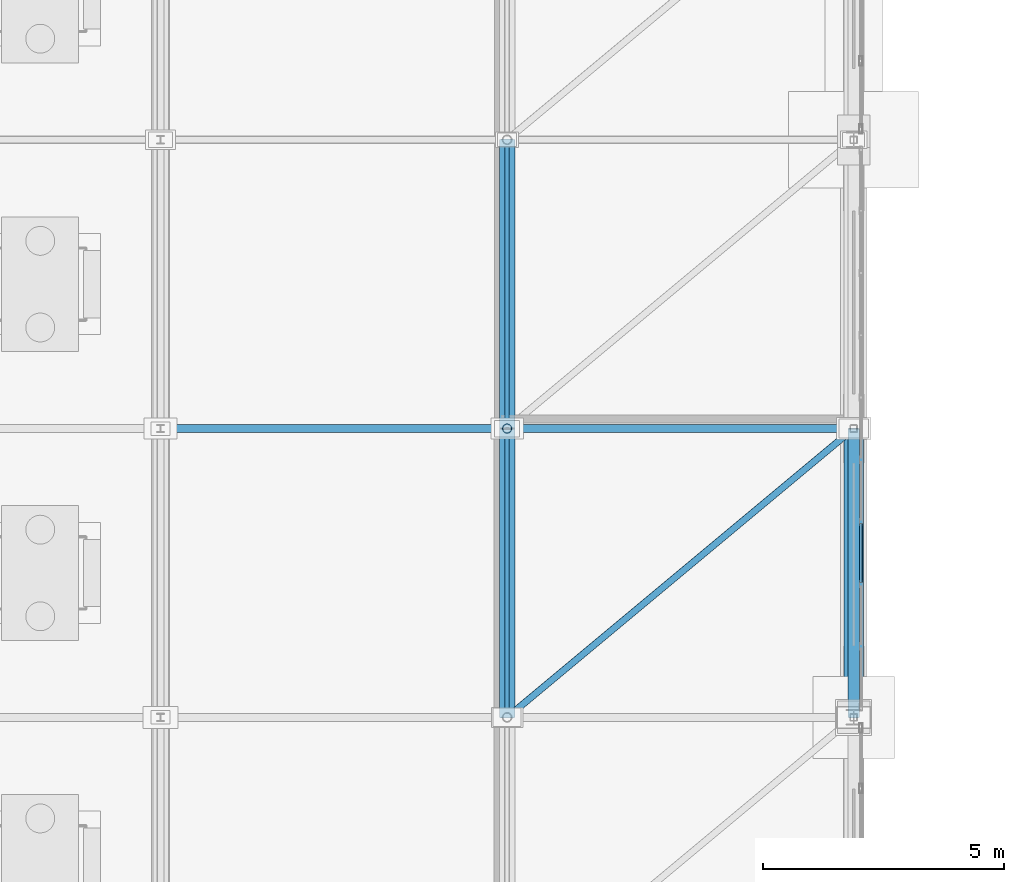
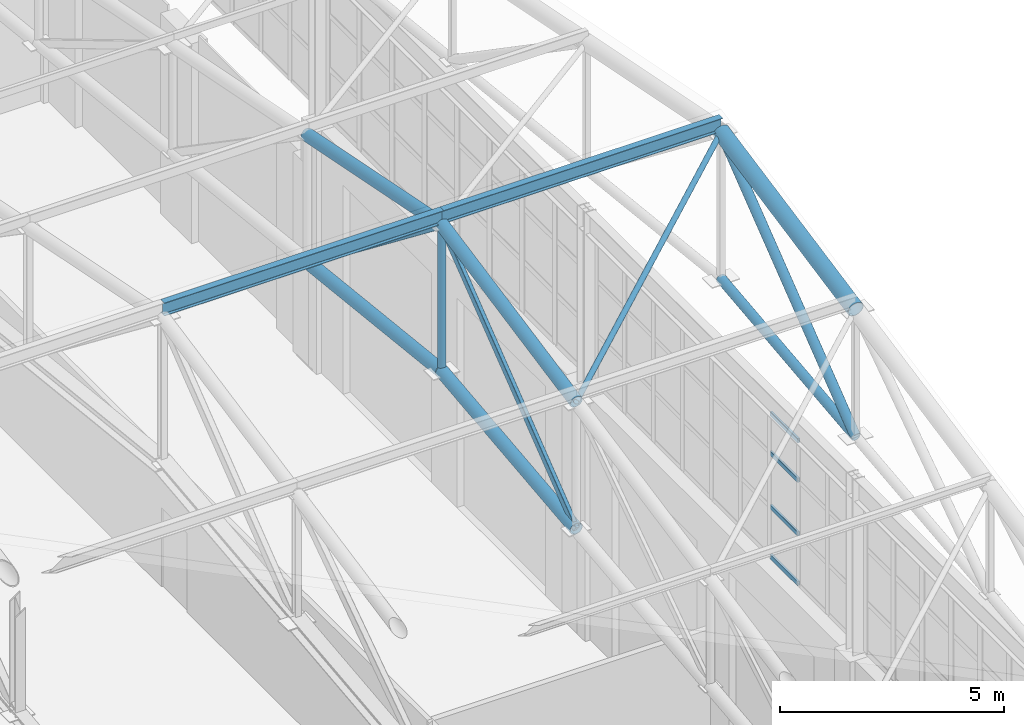
# One storey, part 190 of 293: 17 members, 1 element without a shape of its own.
"""IFC4 building model written with IfcOpenShell, lengths in metres."""

from ifc_helpers import new_model, si_unit, direction, frame, origin, origin_2d, place, context, subcontext, project, spatial, hollow_rectangle, hollow_circle, i_section, extrude, material, layer, layer_set, material_profile, profile_set, type_object, element, aggregate, save


model = new_model("IFC4")

# Units and contexts
model_context = context("Model", 3, precision=1e-05, world=origin(), true_north=direction((0.0, 1.0)))
body_context = subcontext(model_context, "Body", "Model", "MODEL_VIEW")
ifc_project = project(units=[si_unit("LENGTHUNIT", "METRE"), si_unit("AREAUNIT", "SQUARE_METRE"), si_unit("VOLUMEUNIT", "CUBIC_METRE"), si_unit("PLANEANGLEUNIT", "RADIAN"), si_unit("MASSUNIT", "GRAM", prefix="KILO")], contexts=[model_context])

# Site, building, storey
site_placement = place(None, origin())
site = spatial("IfcSite", under=ifc_project, at=site_placement, CompositionType="ELEMENT")
building_placement = place(site_placement, origin())
building = spatial("IfcBuilding", under=site, at=building_placement, Name="Kemerveld Promenade Tramway Depot", CompositionType="ELEMENT")
storey_placement = place(building_placement, origin())
storey = spatial("IfcBuildingStorey", under=building, at=storey_placement, Name="L00", CompositionType="ELEMENT", Elevation=0.0)

# Curtain wall, members
ifc_material_1 = material(Name="Bronze anodised aluminium and solar glass", Category="aluminium")
ifc_layer = layer(ifc_material_1, 0.159912109375)
ifc_layer_set = layer_set([ifc_layer], Name="CW-SYS-13")
curtain_wall_type = type_object("IfcCurtainWallType", Name="CW-SYS-13", PredefinedType="USERDEFINED", material=ifc_layer_set)
curtain_wall_placement = place(storey_placement, origin())
curtain_wall = element("IfcCurtainWall", 1, at=curtain_wall_placement, inside=storey, type_object=curtain_wall_type, Name="CW-V1-E-03", ObjectType="GLAZED_CURTAIN_WALL", PredefinedType="USERDEFINED")
ifc_material_2 = material(Name="Bronze anodised aluminium", Category="aluminium")
ifc_material_profile_1 = material_profile(ifc_material_2, hollow_rectangle(XDim=0.06005859375, YDim=0.1201171875, WallThickness=0.00390625, InnerFilletRadius=0.001953125, OuterFilletRadius=0.00390625, at=origin_2d()), Name="CW-TRN-120x60")
ifc_profile_set_1 = profile_set([ifc_material_profile_1], Name="Bronze anodised aluminium")
member_type_1 = type_object("IfcMemberType", Name="CW-TRN-A", PredefinedType="USERDEFINED", material=ifc_profile_set_1)
member_1_placement = place(storey_placement, frame((187.35009765625, 112.028564453125, 6.679931640625), z_axis=(0.0, -1.0, 0.0), x_axis=(1.0, 0.0, 0.0)))
member_1 = element("IfcMember", 2, at=member_1_placement, type_object=member_type_1, Name="CW13 transom 7.1", ObjectType="TRANSOM", PredefinedType="USERDEFINED", context=body_context, shape_type="SweptSolid", body=[
    extrude(hollow_rectangle(XDim=0.06005859375, YDim=0.1201171875, WallThickness=0.00390625, InnerFilletRadius=0.001953125, OuterFilletRadius=0.00390625, at=origin_2d()), origin(), (0.0, 0.0, 1.0), 1.2275390625),
])
member_2_placement = place(storey_placement, frame((187.35009765625, 112.028564453125, 8.032958984375), z_axis=(0.0, -1.0, 0.0), x_axis=(1.0, 0.0, 0.0)))
member_2 = element("IfcMember", 3, at=member_2_placement, type_object=member_type_1, Name="CW13 transom 7.2", ObjectType="TRANSOM", PredefinedType="USERDEFINED", context=body_context, shape_type="SweptSolid", body=[
    extrude(hollow_rectangle(XDim=0.06005859375, YDim=0.1201171875, WallThickness=0.00390625, InnerFilletRadius=0.001953125, OuterFilletRadius=0.00390625, at=origin_2d()), origin(), (0.0, 0.0, 1.0), 1.2275390625),
])
member_3_placement = place(storey_placement, frame((187.35009765625, 112.028564453125, 9.493896484375), z_axis=(0.0, -1.0, 0.0), x_axis=(1.0, 0.0, 0.0)))
member_3 = element("IfcMember", 4, at=member_3_placement, type_object=member_type_1, Name="CW13 transom 7.3", ObjectType="TRANSOM", PredefinedType="USERDEFINED", context=body_context, shape_type="SweptSolid", body=[
    extrude(hollow_rectangle(XDim=0.06005859375, YDim=0.1201171875, WallThickness=0.00390625, InnerFilletRadius=0.001953125, OuterFilletRadius=0.00390625, at=origin_2d()), origin(), (0.0, 0.0, 1.0), 1.2275390625),
])
member_4_placement = place(storey_placement, frame((187.35009765625, 112.028564453125, 10.570068359375), z_axis=(0.0, -1.0, 0.0), x_axis=(1.0, 0.0, 0.0)))
member_4 = element("IfcMember", 5, at=member_4_placement, type_object=member_type_1, Name="CW13 transom 7.4", ObjectType="TRANSOM", PredefinedType="USERDEFINED", context=body_context, shape_type="SweptSolid", body=[
    extrude(hollow_rectangle(XDim=0.06005859375, YDim=0.1201171875, WallThickness=0.00390625, InnerFilletRadius=0.001953125, OuterFilletRadius=0.00390625, at=origin_2d()), origin(), (0.0, 0.0, 1.0), 1.2275390625),
])
aggregate(curtain_wall, [member_1, member_2, member_3, member_4])

# Members
ifc_material_3 = material(Name="Steel S355", Category="steel")
ifc_material_profile_2 = material_profile(ifc_material_3, hollow_rectangle(XDim=0.10009765625, YDim=0.199951171875, WallThickness=0.008056640625, InnerFilletRadius=0.00390625, OuterFilletRadius=0.011962890625, at=origin_2d()), Name="200x100x8.0 RHS")
ifc_profile_set_2 = profile_set([ifc_material_profile_2], Name="Steel S355")
member_type_2 = type_object("IfcMemberType", Name="MB-M03", PredefinedType="BRACE", material=ifc_profile_set_2)
for number, where, z_axis, x_axis, name in (
    (6, (180.0, 108.0, 12.43994140625), (0.0, 0.789767329101, 0.613406525793), (-1.0, 0.0, 0.0), "TR-26-DG-05"),
    (7, (180.0, 120.0, 12.43994140625), (0.0, -0.789767329101, 0.613406525793), (1.0, 0.0, 0.0), "TR-26-DG-06"),
):
    element("IfcMember", number, at=place(storey_placement, frame(where, z_axis=z_axis, x_axis=x_axis)), inside=storey, type_object=member_type_2, Name=name, PredefinedType="BRACE", context=body_context, shape_type="SweptSolid", body=[
        extrude(hollow_rectangle(XDim=0.10009765625, YDim=0.199951171875, WallThickness=0.008056640625, InnerFilletRadius=0.00390625, OuterFilletRadius=0.011962890625, at=origin_2d()), origin(), (0.0, 0.0, 1.0), 7.59716796875),
    ])
ifc_material_profile_3 = material_profile(ifc_material_3, i_section(OverallWidth=0.172119140625, OverallDepth=0.35791015625, WebThickness=0.008056640625, FlangeThickness=0.012939453125, FilletRadius=0.01025390625, at=origin_2d()), Name="356x171x57 UB")
ifc_profile_set_3 = profile_set([ifc_material_profile_3], Name="Steel S355")
member_type_3 = type_object("IfcMemberType", Name="MB-M07", PredefinedType="PURLIN", material=ifc_profile_set_3)
for number, where, z_axis, x_axis, name in (
    (8, (172.800048828125, 114.0, 17.344970703125), (1.0, 0.0, 0.0), (0.0, 1.0, 0.0), "PUR-V1-05-25"),
    (9, (180.0, 114.0, 17.344970703125), (1.0, 0.0, 0.0), (0.0, 1.0, 0.0), "PUR-V1-05-26"),
):
    element("IfcMember", number, at=place(storey_placement, frame(where, z_axis=z_axis, x_axis=x_axis)), inside=storey, type_object=member_type_3, Name=name, PredefinedType="PURLIN", context=body_context, shape_type="SweptSolid", body=[
        extrude(i_section(OverallWidth=0.172119140625, OverallDepth=0.35791015625, WebThickness=0.008056640625, FlangeThickness=0.012939453125, FilletRadius=0.01025390625, at=origin_2d()), origin(), (0.0, 0.0, 1.0), 7.199951171875),
    ])
ifc_material_profile_4 = material_profile(ifc_material_3, hollow_circle(Radius=0.122314453125, WallThickness=0.010009765625, at=origin_2d()), Name="244.5x10.0 CHS")
ifc_profile_set_4 = profile_set([ifc_material_profile_4], Name="Steel S355")
member_type_4 = type_object("IfcMemberType", Name="MB-TB1", PredefinedType="BRACE", material=ifc_profile_set_4)
member_5_placement = place(storey_placement, frame((187.199951171875, 108.0, 12.43994140625), z_axis=(0.0, 0.789767329101, 0.613406525793), x_axis=(-1.0, 0.0, 0.0)))
element("IfcMember", 10, at=member_5_placement, inside=storey, type_object=member_type_4, Name="TR-27-DG-05", PredefinedType="BRACE", context=body_context, shape_type="SweptSolid", body=[
    extrude(hollow_circle(Radius=0.122314453125, WallThickness=0.010009765625, at=origin_2d()), origin(), (0.0, 0.0, 1.0), 7.59716796875),
])
ifc_material_profile_5 = material_profile(ifc_material_3, hollow_circle(Radius=0.06982421875, WallThickness=0.00634765625, at=origin_2d()), Name="139.7x6.3 CHS")
ifc_profile_set_5 = profile_set([ifc_material_profile_5], Name="Steel S355")
member_type_5 = type_object("IfcMemberType", Name="MB-TB3", PredefinedType="BRACE", material=ifc_profile_set_5)
member_6_placement = place(storey_placement, frame((180.0, 108.0, 15.89990234375), z_axis=(0.761996594365, 0.63500146835, 0.127020964291), x_axis=(-0.640186961885, 0.768219144407, 0.0)))
element("IfcMember", 11, at=member_6_placement, inside=storey, type_object=member_type_5, Name="RBR-V1-04-26", PredefinedType="BRACE", context=body_context, shape_type="SweptSolid", body=[
    extrude(hollow_circle(Radius=0.06982421875, WallThickness=0.00634765625, at=origin_2d()), origin(), (0.0, 0.0, 1.0), 9.44873046875),
])
ifc_material_profile_6 = material_profile(ifc_material_3, hollow_circle(Radius=0.203125, WallThickness=0.01611328125, at=origin_2d()), Name="406.4x16.0 CHS")
ifc_profile_set_6 = profile_set([ifc_material_profile_6], Name="Steel S355")
member_type_6 = type_object("IfcMemberType", Name="MB-TC1", PredefinedType="CHORD", material=ifc_profile_set_6)
member_7_placement = place(storey_placement, frame((187.199951171875, 108.0, 15.89990234375), z_axis=(0.0, 0.980574536798, 0.196146827104), x_axis=(-1.0, 0.0, 0.0)))
element("IfcMember", 12, at=member_7_placement, inside=storey, type_object=member_type_6, Name="TR-27-TC-05", PredefinedType="CHORD", context=body_context, shape_type="SweptSolid", body=[
    extrude(hollow_circle(Radius=0.203125, WallThickness=0.01611328125, at=origin_2d()), origin(), (0.0, 0.0, 1.0), 6.118896484375),
])
ifc_material_profile_7 = material_profile(ifc_material_3, hollow_circle(Radius=0.161865234375, WallThickness=0.012451171875, at=origin_2d()), Name="323.9x12.5 CHS")
ifc_profile_set_7 = profile_set([ifc_material_profile_7], Name="Steel S355")
member_type_7 = type_object("IfcMemberType", Name="MB-TC2", PredefinedType="CHORD", material=ifc_profile_set_7)
member_8_placement = place(storey_placement, frame((180.0, 108.0, 15.89990234375), z_axis=(0.0, 0.980574536798, 0.196146827104), x_axis=(-1.0, 0.0, 0.0)))
element("IfcMember", 13, at=member_8_placement, inside=storey, type_object=member_type_7, Name="TR-26-TC-05", PredefinedType="CHORD", context=body_context, shape_type="SweptSolid", body=[
    extrude(hollow_circle(Radius=0.161865234375, WallThickness=0.012451171875, at=origin_2d()), origin(), (0.0, 0.0, 1.0), 6.118896484375),
])
member_9_placement = place(storey_placement, frame((180.0, 108.0, 12.43994140625), z_axis=(0.0, 0.994001542248, 0.109366055104), x_axis=(-1.0, 0.0, 0.0)))
element("IfcMember", 14, at=member_9_placement, inside=storey, type_object=member_type_7, Name="TR-26-BC-05", PredefinedType="CHORD", context=body_context, shape_type="SweptSolid", body=[
    extrude(hollow_circle(Radius=0.161865234375, WallThickness=0.012451171875, at=origin_2d()), origin(), (0.0, 0.0, 1.0), 6.0361328125),
])
member_10_placement = place(storey_placement, frame((180.0, 114.0, 17.10009765625), z_axis=(0.0, 0.980574536798, -0.196146827104), x_axis=(-1.0, 0.0, 0.0)))
element("IfcMember", 15, at=member_10_placement, inside=storey, type_object=member_type_7, Name="TR-26-TC-06", PredefinedType="CHORD", context=body_context, shape_type="SweptSolid", body=[
    extrude(hollow_circle(Radius=0.161865234375, WallThickness=0.012451171875, at=origin_2d()), origin(), (0.0, 0.0, 1.0), 6.118896484375),
])
member_11_placement = place(storey_placement, frame((180.0, 114.0, 13.10009765625), z_axis=(0.0, 0.994001542248, -0.109366055104), x_axis=(-1.0, 0.0, 0.0)))
element("IfcMember", 16, at=member_11_placement, inside=storey, type_object=member_type_7, Name="TR-26-BC-06", PredefinedType="CHORD", context=body_context, shape_type="SweptSolid", body=[
    extrude(hollow_circle(Radius=0.161865234375, WallThickness=0.012451171875, at=origin_2d()), origin(), (0.0, 0.0, 1.0), 6.0361328125),
])
ifc_material_profile_8 = material_profile(ifc_material_3, hollow_circle(Radius=0.122314453125, WallThickness=0.010009765625, at=origin_2d()), Name="244.5x10.0 CHS")
ifc_profile_set_8 = profile_set([ifc_material_profile_8], Name="Steel S355")
member_type_8 = type_object("IfcMemberType", Name="MB-TC3", PredefinedType="CHORD", material=ifc_profile_set_8)
member_12_placement = place(storey_placement, frame((187.199951171875, 108.0, 12.43994140625), z_axis=(0.0, 0.994001542248, 0.109366055104), x_axis=(-1.0, 0.0, 0.0)))
element("IfcMember", 17, at=member_12_placement, inside=storey, type_object=member_type_8, Name="TR-27-BC-05", PredefinedType="CHORD", context=body_context, shape_type="SweptSolid", body=[
    extrude(hollow_circle(Radius=0.122314453125, WallThickness=0.010009765625, at=origin_2d()), origin(), (0.0, 0.0, 1.0), 6.0361328125),
])
ifc_material_profile_9 = material_profile(ifc_material_3, hollow_circle(Radius=0.096923828125, WallThickness=0.008056640625, at=origin_2d()), Name="193.7x8.0 CHS")
ifc_profile_set_9 = profile_set([ifc_material_profile_9], Name="Steel S355")
member_type_9 = type_object("IfcMemberType", Name="MB-TP1", PredefinedType="POST", material=ifc_profile_set_9)
member_13_placement = place(storey_placement, frame((180.0, 114.0, 13.10009765625), z_axis=(0.0, 0.0, 1.0), x_axis=(1.0, 0.0, 0.0)))
element("IfcMember", 18, at=member_13_placement, inside=storey, type_object=member_type_9, Name="TR-26-VT-05", PredefinedType="POST", context=body_context, shape_type="SweptSolid", body=[
    extrude(hollow_circle(Radius=0.096923828125, WallThickness=0.008056640625, at=origin_2d()), origin(), (0.0, 0.0, 1.0), 4.0),
])

save(model, "model.ifc")
